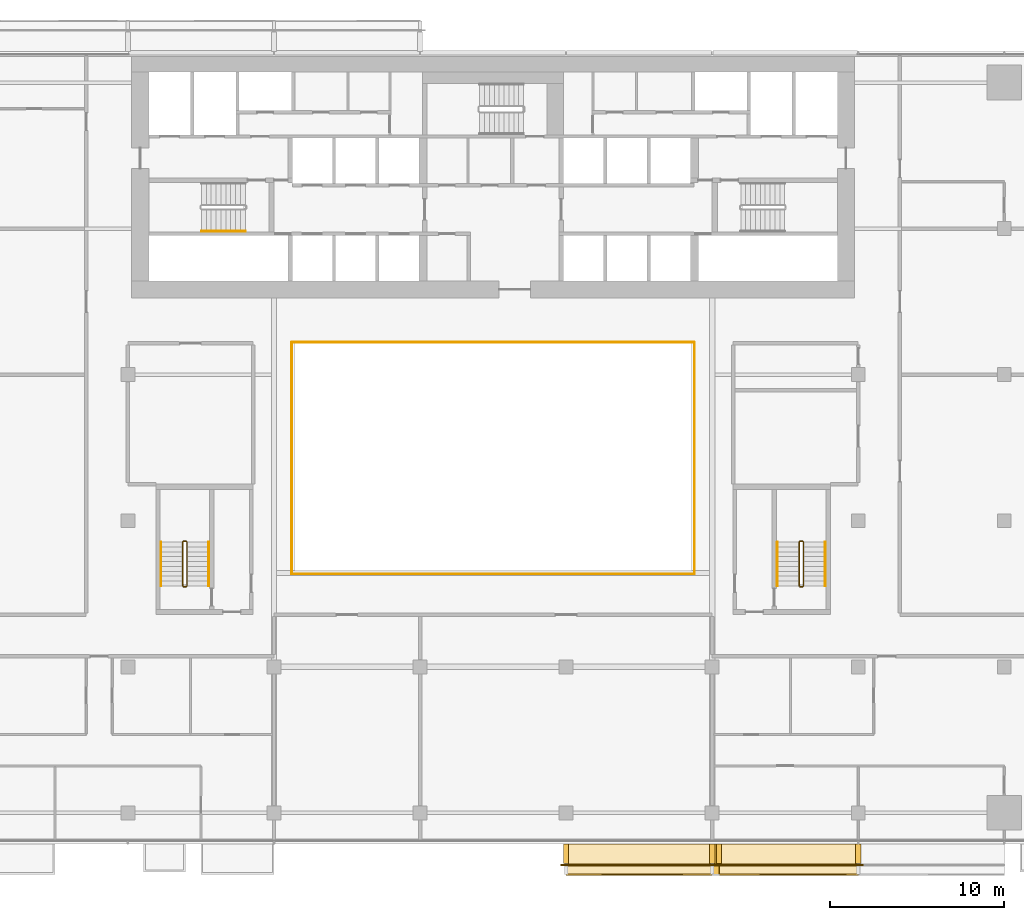
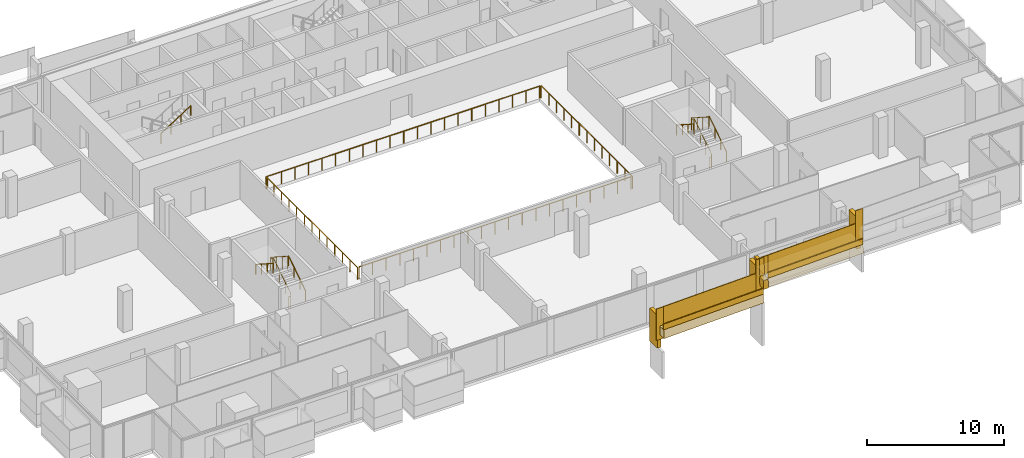
# One storey, part 24 of 26: 18 railings, 9 coverings.
"""IFC4 building model written with IfcOpenShell, lengths in metres."""

from ifc_helpers import new_model, si_unit, direction, frame, origin, origin_2d, place, context, subcontext, project, spatial, polyline, rectangle, circle, outline, extrude, material, layer, layer_set, type_object, element, save


model = new_model("IFC4")

# Units and contexts
model_context = context("Model", 3, precision=1e-05, world=origin(), true_north=direction((0.0, 1.0)))
body_context = subcontext(model_context, "Body", "Model", "MODEL_VIEW")
ifc_project = project(units=[si_unit("LENGTHUNIT", "METRE"), si_unit("AREAUNIT", "SQUARE_METRE"), si_unit("VOLUMEUNIT", "CUBIC_METRE"), si_unit("PLANEANGLEUNIT", "RADIAN"), si_unit("MASSUNIT", "GRAM", prefix="KILO")], contexts=[model_context])

# Site, building, storey
site_placement = place(None, origin())
site = spatial("IfcSite", under=ifc_project, at=site_placement, CompositionType="ELEMENT")
building_placement = place(site_placement, origin())
building = spatial("IfcBuilding", under=site, at=building_placement, Name="Saffron Gate Tower", CompositionType="ELEMENT")
storey_placement = place(building_placement, frame((0.0, 0.0, 102.449951171875)))
storey = spatial("IfcBuildingStorey", under=building, at=storey_placement, Name="L23", CompositionType="ELEMENT", Elevation=102.449951171875)

# Railings
ifc_material_1 = material(Name="Stainless steel and laminated glass", Category="steel")
railing_type_1 = type_object("IfcRailingType", Name="AG1 Atrium edge guard 1100", PredefinedType="GUARDRAIL", material=ifc_material_1)
railing_1_placement = place(storey_placement, frame((76.02001953125, 45.5400390625, 0.0)))
element("IfcRailing", 1, at=railing_1_placement, inside=storey, type_object=railing_type_1, Name="Guard B1-1", PredefinedType="GUARDRAIL", context=body_context, shape_type="SweptSolid", body=[
    extrude(circle(Radius=0.02392578125, at=origin_2d()), frame((0.0, 0.0, 1.076171875), z_axis=(0.0, 1.0, 0.0), x_axis=(-1.0, 0.0, 0.0)), (0.0, 0.0, 1.0), 13.320068359375),
    extrude(circle(Radius=0.02099609375, at=origin_2d()), origin(), (0.0, 0.0, 1.0), 1.052001953125),
    extrude(circle(Radius=0.02099609375, at=origin_2d()), frame((0.0, 1.110107421875, 0.0)), (0.0, 0.0, 1.0), 1.052001953125),
    extrude(circle(Radius=0.02099609375, at=origin_2d()), frame((0.0, 2.219970703125, 0.0)), (0.0, 0.0, 1.0), 1.052001953125),
    extrude(circle(Radius=0.02099609375, at=origin_2d()), frame((0.0, 3.330078125, 0.0)), (0.0, 0.0, 1.0), 1.052001953125),
    extrude(circle(Radius=0.02099609375, at=origin_2d()), frame((0.0, 4.43994140625, 0.0)), (0.0, 0.0, 1.0), 1.052001953125),
    extrude(circle(Radius=0.02099609375, at=origin_2d()), frame((0.0, 5.550048828125, 0.0)), (0.0, 0.0, 1.0), 1.052001953125),
    extrude(circle(Radius=0.02099609375, at=origin_2d()), frame((0.0, 6.66015625, 0.0)), (0.0, 0.0, 1.0), 1.052001953125),
    extrude(circle(Radius=0.02099609375, at=origin_2d()), frame((0.0, 7.77001953125, 0.0)), (0.0, 0.0, 1.0), 1.052001953125),
    extrude(circle(Radius=0.02099609375, at=origin_2d()), frame((0.0, 8.880126953125, 0.0)), (0.0, 0.0, 1.0), 1.052001953125),
    extrude(circle(Radius=0.02099609375, at=origin_2d()), frame((0.0, 9.989990234375, 0.0)), (0.0, 0.0, 1.0), 1.052001953125),
    extrude(circle(Radius=0.02099609375, at=origin_2d()), frame((0.0, 11.10009765625, 0.0)), (0.0, 0.0, 1.0), 1.052001953125),
    extrude(circle(Radius=0.02099609375, at=origin_2d()), frame((0.0, 12.2099609375, 0.0)), (0.0, 0.0, 1.0), 1.052001953125),
    extrude(circle(Radius=0.02099609375, at=origin_2d()), frame((0.0, 13.320068359375, 0.0)), (0.0, 0.0, 1.0), 1.052001953125),
])
railing_2_placement = place(storey_placement, frame((76.139892578125, 58.860107421875, 0.0)))
element("IfcRailing", 2, at=railing_2_placement, inside=storey, type_object=railing_type_1, Name="Guard B1-2", PredefinedType="GUARDRAIL", context=body_context, shape_type="SweptSolid", body=[
    extrude(circle(Radius=0.02392578125, at=origin_2d()), frame((0.0, 0.0, 1.076171875), z_axis=(1.0, 0.0, 0.0), x_axis=(0.0, 1.0, 0.0)), (0.0, 0.0, 1.0), 22.920166015625),
    extrude(circle(Radius=0.02099609375, at=origin_2d()), origin(), (0.0, 0.0, 1.0), 1.052001953125),
    extrude(circle(Radius=0.02099609375, at=origin_2d()), frame((1.14599609375, 0.0, 0.0)), (0.0, 0.0, 1.0), 1.052001953125),
    extrude(circle(Radius=0.02099609375, at=origin_2d()), frame((2.2919921875, 0.0, 0.0)), (0.0, 0.0, 1.0), 1.052001953125),
    extrude(circle(Radius=0.02099609375, at=origin_2d()), frame((3.43798828125, 0.0, 0.0)), (0.0, 0.0, 1.0), 1.052001953125),
    extrude(circle(Radius=0.02099609375, at=origin_2d()), frame((4.583984375, 0.0, 0.0)), (0.0, 0.0, 1.0), 1.052001953125),
    extrude(circle(Radius=0.02099609375, at=origin_2d()), frame((5.72998046875, 0.0, 0.0)), (0.0, 0.0, 1.0), 1.052001953125),
    extrude(circle(Radius=0.02099609375, at=origin_2d()), frame((6.8759765625, 0.0, 0.0)), (0.0, 0.0, 1.0), 1.052001953125),
    extrude(circle(Radius=0.02099609375, at=origin_2d()), frame((8.02197265625, 0.0, 0.0)), (0.0, 0.0, 1.0), 1.052001953125),
    extrude(circle(Radius=0.02099609375, at=origin_2d()), frame((9.16796875, 0.0, 0.0)), (0.0, 0.0, 1.0), 1.052001953125),
    extrude(circle(Radius=0.02099609375, at=origin_2d()), frame((10.31396484375, 0.0, 0.0)), (0.0, 0.0, 1.0), 1.052001953125),
    extrude(circle(Radius=0.02099609375, at=origin_2d()), frame((11.4599609375, 0.0, 0.0)), (0.0, 0.0, 1.0), 1.052001953125),
    extrude(circle(Radius=0.02099609375, at=origin_2d()), frame((12.606201171875, 0.0, 0.0)), (0.0, 0.0, 1.0), 1.052001953125),
    extrude(circle(Radius=0.02099609375, at=origin_2d()), frame((13.752197265625, 0.0, 0.0)), (0.0, 0.0, 1.0), 1.052001953125),
    extrude(circle(Radius=0.02099609375, at=origin_2d()), frame((14.898193359375, 0.0, 0.0)), (0.0, 0.0, 1.0), 1.052001953125),
    extrude(circle(Radius=0.02099609375, at=origin_2d()), frame((16.044189453125, 0.0, 0.0)), (0.0, 0.0, 1.0), 1.052001953125),
    extrude(circle(Radius=0.02099609375, at=origin_2d()), frame((17.190185546875, 0.0, 0.0)), (0.0, 0.0, 1.0), 1.052001953125),
    extrude(circle(Radius=0.02099609375, at=origin_2d()), frame((18.336181640625, 0.0, 0.0)), (0.0, 0.0, 1.0), 1.052001953125),
    extrude(circle(Radius=0.02099609375, at=origin_2d()), frame((19.482177734375, 0.0, 0.0)), (0.0, 0.0, 1.0), 1.052001953125),
    extrude(circle(Radius=0.02099609375, at=origin_2d()), frame((20.628173828125, 0.0, 0.0)), (0.0, 0.0, 1.0), 1.052001953125),
    extrude(circle(Radius=0.02099609375, at=origin_2d()), frame((21.774169921875, 0.0, 0.0)), (0.0, 0.0, 1.0), 1.052001953125),
    extrude(circle(Radius=0.02099609375, at=origin_2d()), frame((22.920166015625, 0.0, 0.0)), (0.0, 0.0, 1.0), 1.052001953125),
])
railing_3_placement = place(storey_placement, frame((99.179931640625, 58.860107421875, 0.0)))
element("IfcRailing", 3, at=railing_3_placement, inside=storey, type_object=railing_type_1, Name="Guard B1-3", PredefinedType="GUARDRAIL", context=body_context, shape_type="SweptSolid", body=[
    extrude(circle(Radius=0.02392578125, at=origin_2d()), frame((0.0, 0.0, 1.076171875), z_axis=(0.0, -1.0, 0.0), x_axis=(1.0, 0.0, 0.0)), (0.0, 0.0, 1.0), 13.320068359375),
    extrude(circle(Radius=0.02099609375, at=origin_2d()), origin(), (0.0, 0.0, 1.0), 1.052001953125),
    extrude(circle(Radius=0.02099609375, at=origin_2d()), frame((0.0, -1.110107421875, 0.0)), (0.0, 0.0, 1.0), 1.052001953125),
    extrude(circle(Radius=0.02099609375, at=origin_2d()), frame((0.0, -2.219970703125, 0.0)), (0.0, 0.0, 1.0), 1.052001953125),
    extrude(circle(Radius=0.02099609375, at=origin_2d()), frame((0.0, -3.330078125, 0.0)), (0.0, 0.0, 1.0), 1.052001953125),
    extrude(circle(Radius=0.02099609375, at=origin_2d()), frame((0.0, -4.43994140625, 0.0)), (0.0, 0.0, 1.0), 1.052001953125),
    extrude(circle(Radius=0.02099609375, at=origin_2d()), frame((0.0, -5.550048828125, 0.0)), (0.0, 0.0, 1.0), 1.052001953125),
    extrude(circle(Radius=0.02099609375, at=origin_2d()), frame((0.0, -6.66015625, 0.0)), (0.0, 0.0, 1.0), 1.052001953125),
    extrude(circle(Radius=0.02099609375, at=origin_2d()), frame((0.0, -7.77001953125, 0.0)), (0.0, 0.0, 1.0), 1.052001953125),
    extrude(circle(Radius=0.02099609375, at=origin_2d()), frame((0.0, -8.880126953125, 0.0)), (0.0, 0.0, 1.0), 1.052001953125),
    extrude(circle(Radius=0.02099609375, at=origin_2d()), frame((0.0, -9.989990234375, 0.0)), (0.0, 0.0, 1.0), 1.052001953125),
    extrude(circle(Radius=0.02099609375, at=origin_2d()), frame((0.0, -11.10009765625, 0.0)), (0.0, 0.0, 1.0), 1.052001953125),
    extrude(circle(Radius=0.02099609375, at=origin_2d()), frame((0.0, -12.2099609375, 0.0)), (0.0, 0.0, 1.0), 1.052001953125),
    extrude(circle(Radius=0.02099609375, at=origin_2d()), frame((0.0, -13.320068359375, 0.0)), (0.0, 0.0, 1.0), 1.052001953125),
])
railing_4_placement = place(storey_placement, frame((99.06005859375, 45.5400390625, 0.0)))
element("IfcRailing", 4, at=railing_4_placement, inside=storey, type_object=railing_type_1, Name="Guard B1-4", PredefinedType="GUARDRAIL", context=body_context, shape_type="SweptSolid", body=[
    extrude(circle(Radius=0.02392578125, at=origin_2d()), frame((0.0, 0.0, 1.076171875), z_axis=(-1.0, 0.0, 0.0), x_axis=(0.0, -1.0, 0.0)), (0.0, 0.0, 1.0), 22.920166015625),
    extrude(circle(Radius=0.02099609375, at=origin_2d()), origin(), (0.0, 0.0, 1.0), 1.052001953125),
    extrude(circle(Radius=0.02099609375, at=origin_2d()), frame((-1.14599609375, 0.0, 0.0)), (0.0, 0.0, 1.0), 1.052001953125),
    extrude(circle(Radius=0.02099609375, at=origin_2d()), frame((-2.2919921875, 0.0, 0.0)), (0.0, 0.0, 1.0), 1.052001953125),
    extrude(circle(Radius=0.02099609375, at=origin_2d()), frame((-3.43798828125, 0.0, 0.0)), (0.0, 0.0, 1.0), 1.052001953125),
    extrude(circle(Radius=0.02099609375, at=origin_2d()), frame((-4.583984375, 0.0, 0.0)), (0.0, 0.0, 1.0), 1.052001953125),
    extrude(circle(Radius=0.02099609375, at=origin_2d()), frame((-5.72998046875, 0.0, 0.0)), (0.0, 0.0, 1.0), 1.052001953125),
    extrude(circle(Radius=0.02099609375, at=origin_2d()), frame((-6.8759765625, 0.0, 0.0)), (0.0, 0.0, 1.0), 1.052001953125),
    extrude(circle(Radius=0.02099609375, at=origin_2d()), frame((-8.02197265625, 0.0, 0.0)), (0.0, 0.0, 1.0), 1.052001953125),
    extrude(circle(Radius=0.02099609375, at=origin_2d()), frame((-9.16796875, 0.0, 0.0)), (0.0, 0.0, 1.0), 1.052001953125),
    extrude(circle(Radius=0.02099609375, at=origin_2d()), frame((-10.31396484375, 0.0, 0.0)), (0.0, 0.0, 1.0), 1.052001953125),
    extrude(circle(Radius=0.02099609375, at=origin_2d()), frame((-11.4599609375, 0.0, 0.0)), (0.0, 0.0, 1.0), 1.052001953125),
    extrude(circle(Radius=0.02099609375, at=origin_2d()), frame((-12.606201171875, 0.0, 0.0)), (0.0, 0.0, 1.0), 1.052001953125),
    extrude(circle(Radius=0.02099609375, at=origin_2d()), frame((-13.752197265625, 0.0, 0.0)), (0.0, 0.0, 1.0), 1.052001953125),
    extrude(circle(Radius=0.02099609375, at=origin_2d()), frame((-14.898193359375, 0.0, 0.0)), (0.0, 0.0, 1.0), 1.052001953125),
    extrude(circle(Radius=0.02099609375, at=origin_2d()), frame((-16.044189453125, 0.0, 0.0)), (0.0, 0.0, 1.0), 1.052001953125),
    extrude(circle(Radius=0.02099609375, at=origin_2d()), frame((-17.190185546875, 0.0, 0.0)), (0.0, 0.0, 1.0), 1.052001953125),
    extrude(circle(Radius=0.02099609375, at=origin_2d()), frame((-18.336181640625, 0.0, 0.0)), (0.0, 0.0, 1.0), 1.052001953125),
    extrude(circle(Radius=0.02099609375, at=origin_2d()), frame((-19.482177734375, 0.0, 0.0)), (0.0, 0.0, 1.0), 1.052001953125),
    extrude(circle(Radius=0.02099609375, at=origin_2d()), frame((-20.628173828125, 0.0, 0.0)), (0.0, 0.0, 1.0), 1.052001953125),
    extrude(circle(Radius=0.02099609375, at=origin_2d()), frame((-21.774169921875, 0.0, 0.0)), (0.0, 0.0, 1.0), 1.052001953125),
    extrude(circle(Radius=0.02099609375, at=origin_2d()), frame((-22.920166015625, 0.0, 0.0)), (0.0, 0.0, 1.0), 1.052001953125),
])
railing_type_2 = type_object("IfcRailingType", Name="CR1 Stair guard 1100", PredefinedType="GUARDRAIL", material=ifc_material_1)
railing_5_placement = place(storey_placement, frame((69.800048828125, 44.800048828125, 0.0)))
element("IfcRailing", 5, at=railing_5_placement, inside=storey, type_object=railing_type_2, Name="L23 ST-D stair guard 1", PredefinedType="GUARDRAIL", context=body_context, shape_type="SweptSolid", body=[
    extrude(circle(Radius=0.02392578125, at=origin_2d()), frame((0.0, 0.0, 1.076171875), z_axis=(1.0, 0.0, 0.0), x_axis=(0.0, 1.0, 0.0)), (0.0, 0.0, 1.0), 0.14990234375),
    extrude(circle(Radius=0.02392578125, at=origin_2d()), frame((0.14990234375, 0.0, 1.076171875), z_axis=(0.258847668887, 0.258847668887, 0.930588936439), x_axis=(-0.707106781187, 0.707106781187, 0.0)), (0.0, 0.0, 1.0), 0.193359375),
    extrude(circle(Radius=0.02392578125, at=origin_2d()), frame((0.199951171875, 0.050048828125, 1.255859375), z_axis=(0.0, 0.841162588446, 0.540782303519), x_axis=(-1.0, 0.0, 0.0)), (0.0, 0.0, 1.0), 2.995849609375),
    extrude(circle(Radius=0.02392578125, at=origin_2d()), frame((0.199951171875, 2.570068359375, 2.8759765625), z_axis=(-0.708833529934, 0.705375805398, 0.0), x_axis=(-0.705375805398, -0.708833529934, 0.0)), (0.0, 0.0, 1.0), 0.070556640625),
    extrude(circle(Radius=0.02392578125, at=origin_2d()), frame((0.14990234375, 2.619873046875, 2.8759765625), z_axis=(-1.0, 0.0, 0.0), x_axis=(0.0, -1.0, 0.0)), (0.0, 0.0, 1.0), 0.14990234375),
    extrude(circle(Radius=0.02392578125, at=origin_2d()), frame((0.0, 2.619873046875, 2.8759765625), z_axis=(-0.258932105505, -0.257669022063, 0.930892496375), x_axis=(0.705375805398, -0.708833529934, 0.0)), (0.0, 0.0, 1.0), 0.193359375),
    extrude(circle(Radius=0.02392578125, at=origin_2d()), frame((-0.050048828125, 2.570068359375, 3.05615234375), z_axis=(0.0, -0.841162588446, 0.540782303519), x_axis=(1.0, 0.0, 0.0)), (0.0, 0.0, 1.0), 2.995849609375),
    extrude(circle(Radius=0.02099609375, at=origin_2d()), origin(), (0.0, 0.0, 1.0), 1.052001953125),
    extrude(circle(Radius=0.02099609375, at=origin_2d()), frame((0.14990234375, 0.0, 0.0)), (0.0, 0.0, 1.0), 1.052001953125),
    extrude(circle(Radius=0.02099609375, at=origin_2d()), frame((0.199951171875, 0.050048828125, 0.179931640625)), (0.0, 0.0, 1.0), 1.052001953125),
    extrude(circle(Radius=0.02099609375, at=origin_2d()), frame((0.199951171875, 0.89013671875, 0.719970703125)), (0.0, 0.0, 1.0), 1.052001953125),
    extrude(circle(Radius=0.02099609375, at=origin_2d()), frame((0.199951171875, 1.72998046875, 1.260009765625)), (0.0, 0.0, 1.0), 1.052001953125),
    extrude(circle(Radius=0.02099609375, at=origin_2d()), frame((0.199951171875, 2.570068359375, 1.800048828125)), (0.0, 0.0, 1.0), 1.052001953125),
    extrude(circle(Radius=0.02099609375, at=origin_2d()), frame((0.14990234375, 2.619873046875, 1.800048828125)), (0.0, 0.0, 1.0), 1.052001953125),
    extrude(circle(Radius=0.02099609375, at=origin_2d()), frame((0.0, 2.619873046875, 1.800048828125)), (0.0, 0.0, 1.0), 1.052001953125),
    extrude(circle(Radius=0.02099609375, at=origin_2d()), frame((-0.050048828125, 2.570068359375, 1.97998046875)), (0.0, 0.0, 1.0), 1.052001953125),
    extrude(circle(Radius=0.02099609375, at=origin_2d()), frame((-0.050048828125, 1.72998046875, 2.52001953125)), (0.0, 0.0, 1.0), 1.052001953125),
    extrude(circle(Radius=0.02099609375, at=origin_2d()), frame((-0.050048828125, 0.89013671875, 3.06005859375)), (0.0, 0.0, 1.0), 1.052001953125),
    extrude(circle(Radius=0.02099609375, at=origin_2d()), frame((-0.050048828125, 0.050048828125, 3.60009765625)), (0.0, 0.0, 1.0), 1.052001953125),
])
railing_6_placement = place(storey_placement, frame((105.25, 44.800048828125, 0.0)))
element("IfcRailing", 6, at=railing_6_placement, inside=storey, type_object=railing_type_2, Name="L23 ST-E stair guard 1", PredefinedType="GUARDRAIL", context=body_context, shape_type="SweptSolid", body=[
    extrude(circle(Radius=0.02392578125, at=origin_2d()), frame((0.0, 0.0, 1.076171875), z_axis=(1.0, 0.0, 0.0), x_axis=(0.0, 1.0, 0.0)), (0.0, 0.0, 1.0), 0.14990234375),
    extrude(circle(Radius=0.02392578125, at=origin_2d()), frame((0.14990234375, 0.0, 1.076171875), z_axis=(0.258847668887, 0.258847668887, 0.930588936439), x_axis=(-0.707106781187, 0.707106781187, 0.0)), (0.0, 0.0, 1.0), 0.193359375),
    extrude(circle(Radius=0.02392578125, at=origin_2d()), frame((0.199951171875, 0.050048828125, 1.255859375), z_axis=(0.0, 0.841162588446, 0.540782303519), x_axis=(-1.0, 0.0, 0.0)), (0.0, 0.0, 1.0), 2.995849609375),
    extrude(circle(Radius=0.02392578125, at=origin_2d()), frame((0.199951171875, 2.570068359375, 2.8759765625), z_axis=(-0.708833529934, 0.705375805398, 0.0), x_axis=(-0.705375805398, -0.708833529934, 0.0)), (0.0, 0.0, 1.0), 0.070556640625),
    extrude(circle(Radius=0.02392578125, at=origin_2d()), frame((0.14990234375, 2.619873046875, 2.8759765625), z_axis=(-1.0, 0.0, 0.0), x_axis=(0.0, -1.0, 0.0)), (0.0, 0.0, 1.0), 0.14990234375),
    extrude(circle(Radius=0.02392578125, at=origin_2d()), frame((0.0, 2.619873046875, 2.8759765625), z_axis=(-0.258932105505, -0.257669022063, 0.930892496375), x_axis=(0.705375805398, -0.708833529934, 0.0)), (0.0, 0.0, 1.0), 0.193359375),
    extrude(circle(Radius=0.02392578125, at=origin_2d()), frame((-0.050048828125, 2.570068359375, 3.05615234375), z_axis=(0.0, -0.841162588446, 0.540782303519), x_axis=(1.0, 0.0, 0.0)), (0.0, 0.0, 1.0), 2.995849609375),
    extrude(circle(Radius=0.02099609375, at=origin_2d()), origin(), (0.0, 0.0, 1.0), 1.052001953125),
    extrude(circle(Radius=0.02099609375, at=origin_2d()), frame((0.14990234375, 0.0, 0.0)), (0.0, 0.0, 1.0), 1.052001953125),
    extrude(circle(Radius=0.02099609375, at=origin_2d()), frame((0.199951171875, 0.050048828125, 0.179931640625)), (0.0, 0.0, 1.0), 1.052001953125),
    extrude(circle(Radius=0.02099609375, at=origin_2d()), frame((0.199951171875, 0.89013671875, 0.719970703125)), (0.0, 0.0, 1.0), 1.052001953125),
    extrude(circle(Radius=0.02099609375, at=origin_2d()), frame((0.199951171875, 1.72998046875, 1.260009765625)), (0.0, 0.0, 1.0), 1.052001953125),
    extrude(circle(Radius=0.02099609375, at=origin_2d()), frame((0.199951171875, 2.570068359375, 1.800048828125)), (0.0, 0.0, 1.0), 1.052001953125),
    extrude(circle(Radius=0.02099609375, at=origin_2d()), frame((0.14990234375, 2.619873046875, 1.800048828125)), (0.0, 0.0, 1.0), 1.052001953125),
    extrude(circle(Radius=0.02099609375, at=origin_2d()), frame((0.0, 2.619873046875, 1.800048828125)), (0.0, 0.0, 1.0), 1.052001953125),
    extrude(circle(Radius=0.02099609375, at=origin_2d()), frame((-0.050048828125, 2.570068359375, 1.97998046875)), (0.0, 0.0, 1.0), 1.052001953125),
    extrude(circle(Radius=0.02099609375, at=origin_2d()), frame((-0.050048828125, 1.72998046875, 2.52001953125)), (0.0, 0.0, 1.0), 1.052001953125),
    extrude(circle(Radius=0.02099609375, at=origin_2d()), frame((-0.050048828125, 0.89013671875, 3.06005859375)), (0.0, 0.0, 1.0), 1.052001953125),
    extrude(circle(Radius=0.02099609375, at=origin_2d()), frame((-0.050048828125, 0.050048828125, 3.60009765625)), (0.0, 0.0, 1.0), 1.052001953125),
])
ifc_material_2 = material(Name="Stainless steel", Category="steel")
railing_type_3 = type_object("IfcRailingType", Name="CR2 Stair handrail 900", PredefinedType="HANDRAIL", material=ifc_material_2)
railing_7_placement = place(storey_placement, frame((70.830078125, 65.25, 1.97998046875)))
element("IfcRailing", 7, at=railing_7_placement, inside=storey, type_object=railing_type_3, Name="L23 ST-A stair handrail 2", PredefinedType="HANDRAIL", context=body_context, shape_type="SweptSolid", body=[
    extrude(circle(Radius=0.02392578125, at=origin_2d()), frame((0.0, 0.0, 0.8759765625), z_axis=(0.841162588446, 0.0, 0.540782303519), x_axis=(0.0, 1.0, 0.0)), (0.0, 0.0, 1.0), 2.995849609375),
    extrude(circle(Radius=0.02099609375, at=origin_2d()), origin(), (0.0, 0.0, 1.0), 0.851806640625),
    extrude(circle(Radius=0.02099609375, at=origin_2d()), frame((0.840087890625, 0.0, 0.5400390625)), (0.0, 0.0, 1.0), 0.851806640625),
    extrude(circle(Radius=0.02099609375, at=origin_2d()), frame((1.679931640625, 0.0, 1.080078125)), (0.0, 0.0, 1.0), 0.851806640625),
    extrude(circle(Radius=0.02099609375, at=origin_2d()), frame((2.52001953125, 0.0, 1.6201171875)), (0.0, 0.0, 1.0), 0.851806640625),
])
railing_8_placement = place(storey_placement, frame((71.25, 44.85009765625, 0.179931640625)))
element("IfcRailing", 8, at=railing_8_placement, inside=storey, type_object=railing_type_3, Name="L23 ST-D stair handrail 1", PredefinedType="HANDRAIL", context=body_context, shape_type="SweptSolid", body=[
    extrude(circle(Radius=0.02392578125, at=origin_2d()), frame((0.0, 0.0, 0.8759765625), z_axis=(0.0, 0.841162588446, 0.540782303519), x_axis=(-1.0, 0.0, 0.0)), (0.0, 0.0, 1.0), 2.995849609375),
    extrude(circle(Radius=0.02099609375, at=origin_2d()), origin(), (0.0, 0.0, 1.0), 0.851806640625),
    extrude(circle(Radius=0.02099609375, at=origin_2d()), frame((0.0, 0.840087890625, 0.5400390625)), (0.0, 0.0, 1.0), 0.851806640625),
    extrude(circle(Radius=0.02099609375, at=origin_2d()), frame((0.0, 1.679931640625, 1.080078125)), (0.0, 0.0, 1.0), 0.851806640625),
    extrude(circle(Radius=0.02099609375, at=origin_2d()), frame((0.0, 2.52001953125, 1.6201171875)), (0.0, 0.0, 1.0), 0.851806640625),
])
railing_9_placement = place(storey_placement, frame((68.5, 47.3701171875, 1.97998046875)))
element("IfcRailing", 9, at=railing_9_placement, inside=storey, type_object=railing_type_3, Name="L23 ST-D stair handrail 2", PredefinedType="HANDRAIL", context=body_context, shape_type="SweptSolid", body=[
    extrude(circle(Radius=0.02392578125, at=origin_2d()), frame((0.0, 0.0, 0.8759765625), z_axis=(0.0, -0.841162588446, 0.540782303519), x_axis=(1.0, 0.0, 0.0)), (0.0, 0.0, 1.0), 2.995849609375),
    extrude(circle(Radius=0.02099609375, at=origin_2d()), origin(), (0.0, 0.0, 1.0), 0.851806640625),
    extrude(circle(Radius=0.02099609375, at=origin_2d()), frame((0.0, -0.840087890625, 0.5400390625)), (0.0, 0.0, 1.0), 0.851806640625),
    extrude(circle(Radius=0.02099609375, at=origin_2d()), frame((0.0, -1.679931640625, 1.080078125)), (0.0, 0.0, 1.0), 0.851806640625),
    extrude(circle(Radius=0.02099609375, at=origin_2d()), frame((0.0, -2.52001953125, 1.6201171875)), (0.0, 0.0, 1.0), 0.851806640625),
])
railing_10_placement = place(storey_placement, frame((106.699951171875, 44.85009765625, 0.179931640625)))
element("IfcRailing", 10, at=railing_10_placement, inside=storey, type_object=railing_type_3, Name="L23 ST-E stair handrail 1", PredefinedType="HANDRAIL", context=body_context, shape_type="SweptSolid", body=[
    extrude(circle(Radius=0.02392578125, at=origin_2d()), frame((0.0, 0.0, 0.8759765625), z_axis=(0.0, 0.841162588446, 0.540782303519), x_axis=(-1.0, 0.0, 0.0)), (0.0, 0.0, 1.0), 2.995849609375),
    extrude(circle(Radius=0.02099609375, at=origin_2d()), origin(), (0.0, 0.0, 1.0), 0.851806640625),
    extrude(circle(Radius=0.02099609375, at=origin_2d()), frame((0.0, 0.840087890625, 0.5400390625)), (0.0, 0.0, 1.0), 0.851806640625),
    extrude(circle(Radius=0.02099609375, at=origin_2d()), frame((0.0, 1.679931640625, 1.080078125)), (0.0, 0.0, 1.0), 0.851806640625),
    extrude(circle(Radius=0.02099609375, at=origin_2d()), frame((0.0, 2.52001953125, 1.6201171875)), (0.0, 0.0, 1.0), 0.851806640625),
])
railing_11_placement = place(storey_placement, frame((103.949951171875, 47.3701171875, 1.97998046875)))
element("IfcRailing", 11, at=railing_11_placement, inside=storey, type_object=railing_type_3, Name="L23 ST-E stair handrail 2", PredefinedType="HANDRAIL", context=body_context, shape_type="SweptSolid", body=[
    extrude(circle(Radius=0.02392578125, at=origin_2d()), frame((0.0, 0.0, 0.8759765625), z_axis=(0.0, -0.841162588446, 0.540782303519), x_axis=(1.0, 0.0, 0.0)), (0.0, 0.0, 1.0), 2.995849609375),
    extrude(circle(Radius=0.02099609375, at=origin_2d()), origin(), (0.0, 0.0, 1.0), 0.851806640625),
    extrude(circle(Radius=0.02099609375, at=origin_2d()), frame((0.0, -0.840087890625, 0.5400390625)), (0.0, 0.0, 1.0), 0.851806640625),
    extrude(circle(Radius=0.02099609375, at=origin_2d()), frame((0.0, -1.679931640625, 1.080078125)), (0.0, 0.0, 1.0), 0.851806640625),
    extrude(circle(Radius=0.02099609375, at=origin_2d()), frame((0.0, -2.52001953125, 1.6201171875)), (0.0, 0.0, 1.0), 0.851806640625),
])

# Coverings
ifc_material_3 = material(Name="Timber, thermally modified ash", Category="wood")
ifc_layer_1 = layer(ifc_material_3, 0.800048828125)
ifc_layer_set_1 = layer_set([ifc_layer_1], Name="LD1 ledge timber")
covering_type_1 = type_object("IfcCoveringType", Name="LD1 ledge timber", PredefinedType="CLADDING", material=ifc_layer_set_1)
covering_1_placement = place(storey_placement, frame((91.800048828125, 30.0, 0.499755859375), z_axis=(-0.028791175352, 0.0, 0.999585448184), x_axis=(0.999585448184, 0.0, 0.028791175352)))
element("IfcCovering", 12, at=covering_1_placement, inside=storey, type_object=covering_type_1, Name="LEDGE", PredefinedType="CLADDING", context=body_context, shape_type="SweptSolid", body=[
    extrude(outline(polyline([(0.0, 0.0), (8.403385982666892, 0.0), (8.403385982666892, -1.800048828125), (0.0, -1.800048828125), (0.0, 0.0)])), origin(), (0.0, 0.0, -1.0), 0.800048828125),
])
covering_2_placement = place(storey_placement, frame((100.199951171875, 30.0, 1.94189453125), z_axis=(-0.029273599113, 0.0, 0.999571436364), x_axis=(0.999571436364, 0.0, 0.029273599113)))
element("IfcCovering", 13, at=covering_2_placement, inside=storey, type_object=covering_type_1, Name="LEDGE", PredefinedType="CLADDING", context=body_context, shape_type="SweptSolid", body=[
    extrude(outline(polyline([(0.0, 0.0), (0.40031804613236543, 0.0), (0.40031804613236543, -1.800048828125), (0.0, -1.800048828125), (0.0, 0.0)])), origin(), (0.0, 0.0, -1.0), 0.800048828125),
])
covering_3_placement = place(storey_placement, frame((100.60009765625, 30.0, 2.0107421875), z_axis=(-0.028796646555, 0.0, 0.999585290582), x_axis=(0.999585290582, 0.0, 0.028796646555)))
element("IfcCovering", 14, at=covering_3_placement, inside=storey, type_object=covering_type_1, Name="LEDGE", PredefinedType="CLADDING", context=body_context, shape_type="SweptSolid", body=[
    extrude(outline(polyline([(0.0, 0.0), (8.003319051788862, 0.0), (8.003319051788862, -1.800048828125), (0.0, -1.800048828125), (0.0, 0.0)])), origin(), (0.0, 0.0, -1.0), 0.800048828125),
])
ifc_layer_2 = layer(ifc_material_3, 0.080078125)
ifc_layer_set_2 = layer_set([ifc_layer_2], Name="LD2 ledge planter trough")
covering_type_2 = type_object("IfcCoveringType", Name="LD2 ledge planter trough", PredefinedType="CLADDING", material=ifc_layer_set_2)
covering_4_placement = place(storey_placement, frame((91.800048828125, 28.199951171875, 0.499755859375), z_axis=(0.0, -1.0, 0.0), x_axis=(0.999585448184, 0.0, 0.028791175352)))
element("IfcCovering", 15, at=covering_4_placement, inside=storey, type_object=covering_type_2, Name="LEDGE planter trough", PredefinedType="CLADDING", context=body_context, shape_type="SweptSolid", body=[
    extrude(outline(polyline([(0.0, 0.0), (8.403385982666892, 0.0), (8.417781570342743, 0.49979272409216496), (0.014395587675851172, 0.4997927240921649), (0.0, 0.0)])), origin(), (0.0, 0.0, -1.0), 0.080078125),
])
covering_5_placement = place(storey_placement, frame((100.60009765625, 28.199951171875, 2.0107421875), z_axis=(0.0, -1.0, 0.0), x_axis=(0.999585290582, 0.0, 0.028796646555)))
element("IfcCovering", 16, at=covering_5_placement, inside=storey, type_object=covering_type_2, Name="LEDGE planter trough", PredefinedType="CLADDING", context=body_context, shape_type="SweptSolid", body=[
    extrude(outline(polyline([(0.0, 0.0), (8.003319051788862, 0.0), (8.017717375066283, 0.4997926452908234), (0.014398323277421184, 0.49979264529082346), (0.0, 0.0)])), origin(), (0.0, 0.0, -1.0), 0.080078125),
])
ifc_layer_3 = layer(ifc_material_3, 0.300048828125)
ifc_layer_set_3 = layer_set([ifc_layer_3], Name="LD3 ledge riser fin")
covering_type_3 = type_object("IfcCoveringType", Name="LD3 ledge riser fin", PredefinedType="CLADDING", material=ifc_layer_set_3)
for number, where, z_axis, x_axis, name in (
    (17, (91.800048828125, 29.43994140625, -1.500732421875), (0.0, 0.0, 1.0), (1.0, 0.0, 0.0), "LEDGE riser fin"),
    (18, (100.199951171875, 29.43994140625, -0.058349609375), (0.0, 0.0, 1.0), (1.0, 0.0, 0.0), "LEDGE riser fin"),
):
    element("IfcCovering", number, at=place(storey_placement, frame(where, z_axis=z_axis, x_axis=x_axis)), inside=storey, type_object=covering_type_3, Name=name, PredefinedType="CLADDING", context=body_context, shape_type="SweptSolid", body=[
        extrude(rectangle(XDim=0.300048828125, YDim=1.1201171875, at=origin_2d()), origin(), (0.0, 0.0, 1.0), 2.900390625),
    ])
covering_6_placement = place(storey_placement, frame((100.60009765625, 29.43994140625, 1.1533203125), z_axis=(0.0, 0.0, 1.0), x_axis=(1.0, 0.0, 0.0)))
element("IfcCovering", 19, at=covering_6_placement, inside=storey, type_object=covering_type_3, Name="LEDGE riser fin", PredefinedType="CLADDING", context=body_context, shape_type="SweptSolid", body=[
    extrude(rectangle(XDim=0.300048828125, YDim=1.1201171875, at=origin_2d()), origin(), (0.0, 0.0, 1.0), 1.757080078125),
])
covering_7_placement = place(storey_placement, frame((108.60009765625, 29.43994140625, 1.441162109375), z_axis=(0.0, 0.0, 1.0), x_axis=(1.0, 0.0, 0.0)))
element("IfcCovering", 20, at=covering_7_placement, inside=storey, type_object=covering_type_3, Name="LEDGE riser fin", PredefinedType="CLADDING", context=body_context, shape_type="SweptSolid", body=[
    extrude(rectangle(XDim=0.300048828125, YDim=1.1201171875, at=origin_2d()), origin(), (0.0, 0.0, 1.0), 2.84326171875),
])

# Railings
railing_type_4 = type_object("IfcRailingType", Name="LG1 ledge balustrade", PredefinedType="BALUSTRADE", material=ifc_material_3)
railing_12_placement = place(storey_placement, frame((91.800048828125, 28.800048828125, 0.499755859375)))
element("IfcRailing", 21, at=railing_12_placement, inside=storey, type_object=railing_type_4, Name="LEDGE BALUSTRADE", PredefinedType="BALUSTRADE", context=body_context, shape_type="SweptSolid", body=[
    extrude(rectangle(XDim=0.06005859375, YDim=1.60009765625, at=origin_2d()), frame((0.0, 0.0, 0.800048828125), z_axis=(0.999585448184, 0.0, 0.028791175352), x_axis=(0.0, 1.0, 0.0)), (0.0, 0.0, 1.0), 8.4033203125),
])
railing_13_placement = place(storey_placement, frame((91.5, 28.800048828125, -0.70068359375)))
element("IfcRailing", 22, at=railing_13_placement, inside=storey, type_object=railing_type_4, Name="LEDGE BALUSTRADE", PredefinedType="BALUSTRADE", context=body_context, shape_type="SweptSolid", body=[
    extrude(rectangle(XDim=0.06005859375, YDim=2.80029296875, at=origin_2d()), frame((0.0, 0.0, 1.400146484375), z_axis=(1.0, 0.0, 0.0), x_axis=(0.0, 1.0, 0.0)), (0.0, 0.0, 1.0), 0.60009765625),
])
railing_14_placement = place(storey_placement, frame((100.199951171875, 28.800048828125, 1.94189453125)))
element("IfcRailing", 23, at=railing_14_placement, inside=storey, type_object=railing_type_4, Name="LEDGE BALUSTRADE", PredefinedType="BALUSTRADE", context=body_context, shape_type="SweptSolid", body=[
    extrude(rectangle(XDim=0.06005859375, YDim=1.60009765625, at=origin_2d()), frame((0.0, 0.0, 0.800048828125), z_axis=(0.999571436364, 0.0, 0.029273599113), x_axis=(0.0, 1.0, 0.0)), (0.0, 0.0, 1.0), 0.400390625),
])
railing_15_placement = place(storey_placement, frame((99.89990234375, 28.800048828125, 0.74169921875)))
element("IfcRailing", 24, at=railing_15_placement, inside=storey, type_object=railing_type_4, Name="LEDGE BALUSTRADE", PredefinedType="BALUSTRADE", context=body_context, shape_type="SweptSolid", body=[
    extrude(rectangle(XDim=0.06005859375, YDim=2.80029296875, at=origin_2d()), frame((0.0, 0.0, 1.400146484375), z_axis=(1.0, 0.0, 0.0), x_axis=(0.0, 1.0, 0.0)), (0.0, 0.0, 1.0), 0.60009765625),
])
railing_16_placement = place(storey_placement, frame((100.60009765625, 28.800048828125, 2.0107421875)))
element("IfcRailing", 25, at=railing_16_placement, inside=storey, type_object=railing_type_4, Name="LEDGE BALUSTRADE", PredefinedType="BALUSTRADE", context=body_context, shape_type="SweptSolid", body=[
    extrude(rectangle(XDim=0.06005859375, YDim=1.60009765625, at=origin_2d()), frame((0.0, 0.0, 0.800048828125), z_axis=(0.999585290582, 0.0, 0.028796646555), x_axis=(0.0, 1.0, 0.0)), (0.0, 0.0, 1.0), 8.00341796875),
])
railing_17_placement = place(storey_placement, frame((100.300048828125, 28.800048828125, 1.95361328125)))
element("IfcRailing", 26, at=railing_17_placement, inside=storey, type_object=railing_type_4, Name="LEDGE BALUSTRADE", PredefinedType="BALUSTRADE", context=body_context, shape_type="SweptSolid", body=[
    extrude(rectangle(XDim=0.06005859375, YDim=1.6572265625, at=origin_2d()), frame((0.0, 0.0, 0.82861328125), z_axis=(1.0, 0.0, 0.0), x_axis=(0.0, 1.0, 0.0)), (0.0, 0.0, 1.0), 0.599853515625),
])
railing_18_placement = place(storey_placement, frame((108.300048828125, 28.800048828125, 2.2412109375)))
element("IfcRailing", 27, at=railing_18_placement, inside=storey, type_object=railing_type_4, Name="LEDGE BALUSTRADE", PredefinedType="BALUSTRADE", context=body_context, shape_type="SweptSolid", body=[
    extrude(rectangle(XDim=0.06005859375, YDim=2.7431640625, at=origin_2d()), frame((0.0, 0.0, 1.37158203125), z_axis=(1.0, 0.0, 0.0), x_axis=(0.0, 1.0, 0.0)), (0.0, 0.0, 1.0), 0.599853515625),
])

save(model, "model.ifc")
